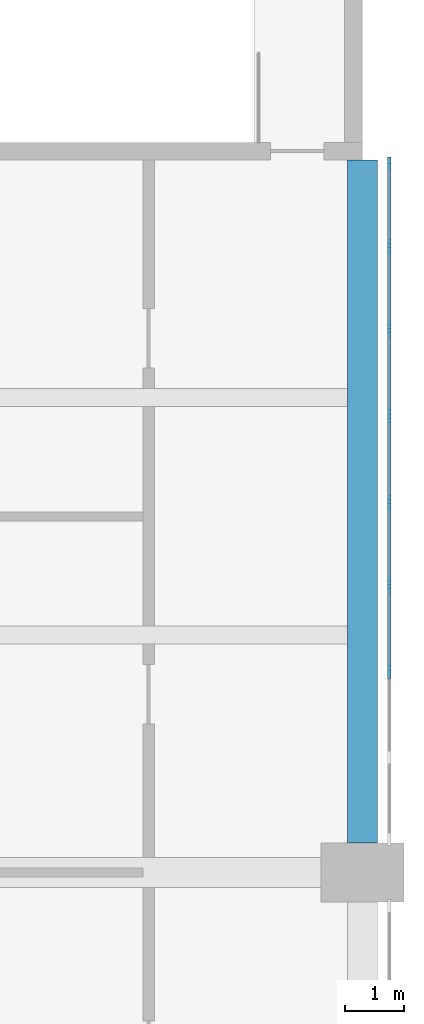
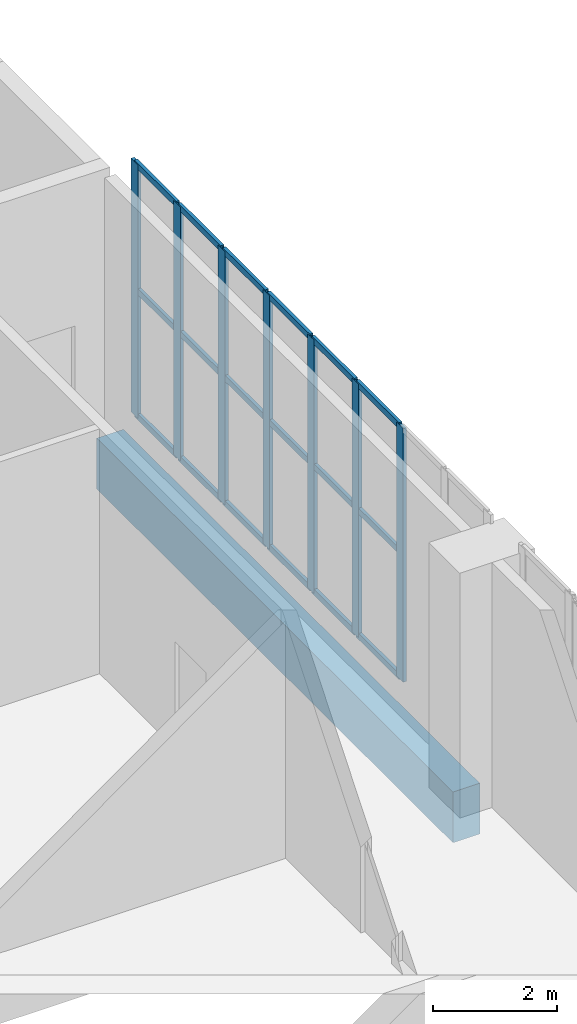
# One storey, part 29 of 69: 25 members, 1 beam, 1 element without a shape of its own.
"""IFC4 building model written with IfcOpenShell, lengths in metres."""

import ifcopenshell
import ifcopenshell.guid

model = None  # the IFC model being written
_history = None  # IfcOwnerHistory: only IFC2X3 demands one
_inside = {}  # id of a spatial element -> (the spatial element, [elements in it])
_under = {}  # id of a project, library or spatial element -> (it, [spatial elements below it])
_declared = {}  # id of a project -> (the project, [libraries it declares])
_typed = {}  # id of a type object -> (the type object, [elements of that type])
_made_of = {}  # id of a material, layer set ... -> (it, [elements and type objects made of it])


def new_model(schema):
    """Start an empty IFC model of exactly this schema.

    Asked for "IFC4X3", IfcOpenShell would pick the latest addendum, in which some entities
    have other attributes; the version numbers below select the first issue.
    IFC2X3 requires an IfcOwnerHistory on every rooted entity: one is made here for all.
    """
    global model, _history
    if schema == "IFC4X3":
        model = ifcopenshell.file(schema_version=(4, 3, 0, 0))
    else:
        model = ifcopenshell.file(schema=schema)
    _inside.clear()
    _under.clear()
    _declared.clear()
    _typed.clear()
    _made_of.clear()
    _history = None
    if model.schema == "IFC2X3":
        org = make("IfcOrganization", Name="unknown")
        user = make(
            "IfcPersonAndOrganization",
            ThePerson=make("IfcPerson", FamilyName="unknown"),
            TheOrganization=org,
        )
        app = make(
            "IfcApplication",
            ApplicationDeveloper=org,
            Version="unknown",
            ApplicationFullName="unknown",
            ApplicationIdentifier="unknown",
        )
        _history = make(
            "IfcOwnerHistory",
            OwningUser=user,
            OwningApplication=app,
            ChangeAction="ADDED",
            CreationDate=0,
        )
    return model


def make(cls, **values):
    """One entity of the class cls with the attributes given. An attribute that is None is left unset."""
    return model.create_entity(
        cls, **{name: value for name, value in values.items() if value is not None}
    )


def rooted(cls, **values):
    """An entity with a GlobalId (a new one), such as an element, a storey or a relation."""
    return make(cls, GlobalId=ifcopenshell.guid.new(), OwnerHistory=_history, **values)


def si_unit(unit_type, name, prefix=None):
    """IfcSIUnit, for example si_unit("LENGTHUNIT", "METRE", prefix="MILLI")."""
    return make("IfcSIUnit", UnitType=unit_type, Prefix=prefix, Name=name)


def assignment(units):
    """IfcUnitAssignment: the units of a project."""
    return None if units is None else make("IfcUnitAssignment", Units=units)


def point(xyz):
    """IfcCartesianPoint."""
    return None if xyz is None else make("IfcCartesianPoint", Coordinates=xyz)


def direction(xyz):
    """IfcDirection."""
    return None if xyz is None else make("IfcDirection", DirectionRatios=xyz)


def frame(location, z_axis=None, x_axis=None):
    """IfcAxis2Placement3D, a coordinate frame: its origin and axes. An axis left out is left unset."""
    return make(
        "IfcAxis2Placement3D",
        Location=point(location),
        Axis=direction(z_axis),
        RefDirection=direction(x_axis),
    )


def frame_2d(location, x_axis=None):
    """IfcAxis2Placement2D, a coordinate frame in the plane: its origin and x axis."""
    return make(
        "IfcAxis2Placement2D", Location=point(location), RefDirection=direction(x_axis)
    )


def origin():
    """The frame at (0, 0, 0) with its axes left unset."""
    return frame((0.0, 0.0, 0.0))


def origin_2d():
    """The frame at (0, 0) in the plane with its x axis left unset."""
    return frame_2d((0.0, 0.0))


def place(relative_to, where):
    """IfcLocalPlacement: puts the frame where relative to a parent placement (None: the world)."""
    return make(
        "IfcLocalPlacement", PlacementRelTo=relative_to, RelativePlacement=where
    )


def context(
    kind, dimensions, precision=None, world=None, true_north=None, identifier=None
):
    """IfcGeometricRepresentationContext, for example the 3D "Model" context."""
    return make(
        "IfcGeometricRepresentationContext",
        ContextIdentifier=identifier,
        ContextType=kind,
        CoordinateSpaceDimension=dimensions,
        Precision=precision,
        WorldCoordinateSystem=world,
        TrueNorth=true_north,
    )


def subcontext(parent, identifier, kind, view, scale=None):
    """IfcGeometricRepresentationSubContext, for example "Body" below "Model"."""
    return make(
        "IfcGeometricRepresentationSubContext",
        ContextIdentifier=identifier,
        ContextType=kind,
        ParentContext=parent,
        TargetScale=scale,
        TargetView=view,
    )


def project(units=None, contexts=None):
    """IfcProject with its units and contexts."""
    return rooted(
        "IfcProject",
        Name="project",
        RepresentationContexts=contexts,
        UnitsInContext=assignment(units),
    )


def spatial(cls, under=None, at=None, **own):
    """A site, building, storey or space (cls), placed at a placement, below another one or the project."""
    s = rooted(cls, ObjectPlacement=at, **own)
    if under is not None:
        _under.setdefault(under.id(), (under, []))[1].append(s)
    return s


def profile(cls, at=None, kind="AREA", **sizes):
    """A parametric profile (cls). Its sizes go by their IFC names, for example OverallWidth=200.0."""
    return make(cls, ProfileType=kind, Position=at, **sizes)


def rectangle(**sizes):
    """IfcRectangleProfileDef."""
    return profile("IfcRectangleProfileDef", **sizes)


def extrude(swept, where, along, depth):
    """IfcExtrudedAreaSolid: the profile swept, set in the frame where, extruded along a direction by depth."""
    return make(
        "IfcExtrudedAreaSolid",
        SweptArea=swept,
        Position=where,
        ExtrudedDirection=direction(along),
        Depth=depth,
    )


def shape(context_of_items, identifier, shape_type, items):
    """IfcShapeRepresentation: the items that make up one representation, for example the "Body"."""
    return make(
        "IfcShapeRepresentation",
        ContextOfItems=context_of_items,
        RepresentationIdentifier=identifier,
        RepresentationType=shape_type,
        Items=items,
    )


def material(Name=None, Category=None):
    """IfcMaterial."""
    return make("IfcMaterial", Name=Name, Category=Category)


def layer(
    of_material, thickness, ventilated=None, Name=None, Category=None, Priority=None
):
    """IfcMaterialLayer: one layer of a wall or slab, of a material (None: an air gap)."""
    return make(
        "IfcMaterialLayer",
        Material=of_material,
        LayerThickness=thickness,
        IsVentilated=ventilated,
        Name=Name,
        Category=Category,
        Priority=Priority,
    )


def layer_set(layers, Name=None):
    """IfcMaterialLayerSet."""
    return make("IfcMaterialLayerSet", MaterialLayers=layers, LayerSetName=Name)


def material_profile(
    of_material, cross_section, Name=None, Category=None, Priority=None
):
    """IfcMaterialProfile: a cross section and its material."""
    return make(
        "IfcMaterialProfile",
        Name=Name,
        Material=of_material,
        Profile=cross_section,
        Priority=Priority,
        Category=Category,
    )


def profile_set(profiles, Name=None, composite=None):
    """IfcMaterialProfileSet."""
    return make(
        "IfcMaterialProfileSet",
        Name=Name,
        MaterialProfiles=profiles,
        CompositeProfile=composite,
    )


def made_of(thing, what):
    """Note that an element or type object is made of a material, layer set ...; save() writes the relation."""
    if what is not None:
        _made_of.setdefault(what.id(), (what, []))[1].append(thing)
    return thing


def type_object(cls, material=None, **own):
    """A type object (cls), such as IfcWallType, which elements share."""
    return made_of(rooted(cls, **own), material)


def element(
    cls,
    number,
    at=None,
    inside=None,
    cuts=None,
    type_object=None,
    material=None,
    context=None,
    identifier="Body",
    shape_type=None,
    held_by="IfcProductDefinitionShape",
    body=None,
    shapes=None,
    **own,
):
    """One element of the class cls, such as IfcWall. Its Tag is "e" and its number.

    at: its placement. inside: the storey or other place that contains it. cuts: it is an
    opening in that element (IfcRelVoidsElement). A single representation is given by context,
    identifier, shape_type and body (its items); several are given by shapes. held_by: the class
    of the entity that holds the representations. save() writes the other relations.
    """
    e = rooted(cls, Tag="e%d" % number, ObjectPlacement=at, **own)
    if body is not None:
        shapes = [shape(context, identifier, shape_type, body)]
    if shapes is not None:
        e.Representation = make(held_by, Representations=shapes)
    if inside is not None:
        _inside.setdefault(inside.id(), (inside, []))[1].append(e)
    if cuts is not None:
        rooted(
            "IfcRelVoidsElement", RelatingBuildingElement=cuts, RelatedOpeningElement=e
        )
    if type_object is not None:
        _typed.setdefault(type_object.id(), (type_object, []))[1].append(e)
    return made_of(e, material)


def aggregate(whole, parts):
    """IfcRelAggregates: a whole, such as a stair, and the parts it consists of."""
    return rooted("IfcRelAggregates", RelatingObject=whole, RelatedObjects=parts)


def save(model, path):
    """Write the relations noted so far, then the file.

    IfcRelAggregates (storeys below a building ...), IfcRelContainedInSpatialStructure (elements
    in a storey), IfcRelDefinesByType, IfcRelAssociatesMaterial and IfcRelDeclares: one each for
    every whole, place, type object, material and project.
    """
    for whole, parts in _under.values():
        aggregate(whole, parts)
    for where, things in _inside.values():
        rooted(
            "IfcRelContainedInSpatialStructure",
            RelatedElements=things,
            RelatingStructure=where,
        )
    for kind, things in _typed.values():
        rooted("IfcRelDefinesByType", RelatedObjects=things, RelatingType=kind)
    for what, things in _made_of.values():
        rooted("IfcRelAssociatesMaterial", RelatedObjects=things, RelatingMaterial=what)
    for by, libraries in _declared.values():
        rooted("IfcRelDeclares", RelatingContext=by, RelatedDefinitions=libraries)
    model.write(path)


model = new_model("IFC4")

# Units and contexts
model_context = context("Model", 3, precision=1e-05, world=origin(), true_north=direction((0.0, 1.0)))
body_context = subcontext(model_context, "Body", "Model", "MODEL_VIEW")
ifc_project = project(units=[si_unit("LENGTHUNIT", "METRE"), si_unit("AREAUNIT", "SQUARE_METRE"), si_unit("VOLUMEUNIT", "CUBIC_METRE"), si_unit("PLANEANGLEUNIT", "RADIAN"), si_unit("MASSUNIT", "GRAM", prefix="KILO")], contexts=[model_context])

# Site, building, storey
site_placement = place(None, origin())
site = spatial("IfcSite", under=ifc_project, at=site_placement, CompositionType="ELEMENT")
building_placement = place(site_placement, origin())
building = spatial("IfcBuilding", under=site, at=building_placement, Name="Lilac Gate Convention Centre", CompositionType="ELEMENT")
storey_placement = place(building_placement, frame((0.0, 0.0, 12.0)))
storey = spatial("IfcBuildingStorey", under=building, at=storey_placement, Name="L02", CompositionType="ELEMENT", Elevation=12.0)

# Curtain wall, members
ifc_material_1 = material(Name="Aluminium framed double glazing", Category="aluminium")
ifc_layer = layer(ifc_material_1, 0.199951171875)
ifc_layer_set = layer_set([ifc_layer], Name="Aluminium framed double glazing")
curtain_wall_type = type_object("IfcCurtainWallType", Name="Unitised curtain wall 1500", PredefinedType="NOTDEFINED", material=ifc_layer_set)
curtain_wall_placement = place(storey_placement, origin())
curtain_wall = element("IfcCurtainWall", 1, at=curtain_wall_placement, inside=storey, type_object=curtain_wall_type, Name="Curtain wall HE L02 9", PredefinedType="NOTDEFINED")
ifc_material_2 = material(Name="Aluminium alloy 6063", Category="aluminium")
ifc_material_profile_1 = material_profile(ifc_material_2, rectangle(XDim=0.06005859375, YDim=0.219970703125, at=origin_2d()), Name="Curtain wall mullion 60 x 220")
ifc_profile_set_1 = profile_set([ifc_material_profile_1], Name="Aluminium alloy 6063")
member_type_1 = type_object("IfcMemberType", Name="Curtain wall mullion 60 x 220", PredefinedType="MULLION", material=ifc_profile_set_1)
member_1_placement = place(storey_placement, frame((90.449951171875, 141.375, 0.0), z_axis=(0.0, 0.0, 1.0), x_axis=(-1.0, 0.0, 0.0)))
member_1 = element("IfcMember", 2, at=member_1_placement, type_object=member_type_1, Name="CW mullion 3", PredefinedType="MULLION", context=body_context, shape_type="SweptSolid", body=[
    extrude(rectangle(XDim=0.06005859375, YDim=0.219970703125, at=origin_2d()), origin(), (0.0, 0.0, 1.0), 5.0),
])
member_2_placement = place(storey_placement, frame((90.449951171875, 142.8125, 0.0), z_axis=(0.0, 0.0, 1.0), x_axis=(-1.0, 0.0, 0.0)))
member_2 = element("IfcMember", 3, at=member_2_placement, type_object=member_type_1, Name="CW mullion 4", PredefinedType="MULLION", context=body_context, shape_type="SweptSolid", body=[
    extrude(rectangle(XDim=0.06005859375, YDim=0.219970703125, at=origin_2d()), origin(), (0.0, 0.0, 1.0), 5.0),
])
member_3_placement = place(storey_placement, frame((90.449951171875, 144.25, 0.0), z_axis=(0.0, 0.0, 1.0), x_axis=(-1.0, 0.0, 0.0)))
member_3 = element("IfcMember", 4, at=member_3_placement, type_object=member_type_1, Name="CW mullion 5", PredefinedType="MULLION", context=body_context, shape_type="SweptSolid", body=[
    extrude(rectangle(XDim=0.06005859375, YDim=0.219970703125, at=origin_2d()), origin(), (0.0, 0.0, 1.0), 5.0),
])
member_4_placement = place(storey_placement, frame((90.449951171875, 145.6875, 0.0), z_axis=(0.0, 0.0, 1.0), x_axis=(-1.0, 0.0, 0.0)))
member_4 = element("IfcMember", 5, at=member_4_placement, type_object=member_type_1, Name="CW mullion 6", PredefinedType="MULLION", context=body_context, shape_type="SweptSolid", body=[
    extrude(rectangle(XDim=0.06005859375, YDim=0.219970703125, at=origin_2d()), origin(), (0.0, 0.0, 1.0), 5.0),
])
member_5_placement = place(storey_placement, frame((90.449951171875, 147.125, 0.0), z_axis=(0.0, 0.0, 1.0), x_axis=(-1.0, 0.0, 0.0)))
member_5 = element("IfcMember", 6, at=member_5_placement, type_object=member_type_1, Name="CW mullion 7", PredefinedType="MULLION", context=body_context, shape_type="SweptSolid", body=[
    extrude(rectangle(XDim=0.06005859375, YDim=0.219970703125, at=origin_2d()), origin(), (0.0, 0.0, 1.0), 5.0),
])
member_6_placement = place(storey_placement, frame((90.449951171875, 148.5625, 0.0), z_axis=(0.0, 0.0, 1.0), x_axis=(-1.0, 0.0, 0.0)))
member_6 = element("IfcMember", 7, at=member_6_placement, type_object=member_type_1, Name="CW mullion 8", PredefinedType="MULLION", context=body_context, shape_type="SweptSolid", body=[
    extrude(rectangle(XDim=0.06005859375, YDim=0.219970703125, at=origin_2d()), origin(), (0.0, 0.0, 1.0), 5.0),
])
member_7_placement = place(storey_placement, frame((90.449951171875, 149.93994140625, 0.0), z_axis=(0.0, 0.0, 1.0), x_axis=(-1.0, 0.0, 0.0)))
member_7 = element("IfcMember", 8, at=member_7_placement, type_object=member_type_1, Name="CW mullion 9", PredefinedType="MULLION", context=body_context, shape_type="SweptSolid", body=[
    extrude(rectangle(XDim=0.06005859375, YDim=0.219970703125, at=origin_2d()), origin(), (0.0, 0.0, 1.0), 5.0),
])
ifc_material_profile_2 = material_profile(ifc_material_2, rectangle(XDim=0.06005859375, YDim=0.1201171875, at=origin_2d()), Name="Curtain wall transom 60 x 120")
ifc_profile_set_2 = profile_set([ifc_material_profile_2], Name="Aluminium alloy 6063")
member_type_2 = type_object("IfcMemberType", Name="Curtain wall transom 60 x 120", PredefinedType="USERDEFINED", material=ifc_profile_set_2)
member_8_placement = place(storey_placement, frame((90.449951171875, 141.405029296875, 0.030029296875), z_axis=(0.0, 1.0, 0.0), x_axis=(-1.0, 0.0, 0.0)))
member_8 = element("IfcMember", 9, at=member_8_placement, type_object=member_type_2, Name="CW transom 3.1", ObjectType="TRANSOM", PredefinedType="USERDEFINED", context=body_context, shape_type="SweptSolid", body=[
    extrude(rectangle(XDim=0.06005859375, YDim=0.1201171875, at=origin_2d()), origin(), (0.0, 0.0, 1.0), 1.37744140625),
])
member_9_placement = place(storey_placement, frame((90.449951171875, 141.405029296875, 2.5), z_axis=(0.0, 1.0, 0.0), x_axis=(-1.0, 0.0, 0.0)))
member_9 = element("IfcMember", 10, at=member_9_placement, type_object=member_type_2, Name="CW transom 3.2", ObjectType="TRANSOM", PredefinedType="USERDEFINED", context=body_context, shape_type="SweptSolid", body=[
    extrude(rectangle(XDim=0.06005859375, YDim=0.1201171875, at=origin_2d()), origin(), (0.0, 0.0, 1.0), 1.37744140625),
])
member_10_placement = place(storey_placement, frame((90.449951171875, 141.405029296875, 4.969970703125), z_axis=(0.0, 1.0, 0.0), x_axis=(-1.0, 0.0, 0.0)))
member_10 = element("IfcMember", 11, at=member_10_placement, type_object=member_type_2, Name="CW transom 3.3", ObjectType="TRANSOM", PredefinedType="USERDEFINED", context=body_context, shape_type="SweptSolid", body=[
    extrude(rectangle(XDim=0.06005859375, YDim=0.1201171875, at=origin_2d()), origin(), (0.0, 0.0, 1.0), 1.37744140625),
])
member_11_placement = place(storey_placement, frame((90.449951171875, 142.842529296875, 0.030029296875), z_axis=(0.0, 1.0, 0.0), x_axis=(-1.0, 0.0, 0.0)))
member_11 = element("IfcMember", 12, at=member_11_placement, type_object=member_type_2, Name="CW transom 4.1", ObjectType="TRANSOM", PredefinedType="USERDEFINED", context=body_context, shape_type="SweptSolid", body=[
    extrude(rectangle(XDim=0.06005859375, YDim=0.1201171875, at=origin_2d()), origin(), (0.0, 0.0, 1.0), 1.37744140625),
])
member_12_placement = place(storey_placement, frame((90.449951171875, 142.842529296875, 2.5), z_axis=(0.0, 1.0, 0.0), x_axis=(-1.0, 0.0, 0.0)))
member_12 = element("IfcMember", 13, at=member_12_placement, type_object=member_type_2, Name="CW transom 4.2", ObjectType="TRANSOM", PredefinedType="USERDEFINED", context=body_context, shape_type="SweptSolid", body=[
    extrude(rectangle(XDim=0.06005859375, YDim=0.1201171875, at=origin_2d()), origin(), (0.0, 0.0, 1.0), 1.37744140625),
])
member_13_placement = place(storey_placement, frame((90.449951171875, 142.842529296875, 4.969970703125), z_axis=(0.0, 1.0, 0.0), x_axis=(-1.0, 0.0, 0.0)))
member_13 = element("IfcMember", 14, at=member_13_placement, type_object=member_type_2, Name="CW transom 4.3", ObjectType="TRANSOM", PredefinedType="USERDEFINED", context=body_context, shape_type="SweptSolid", body=[
    extrude(rectangle(XDim=0.06005859375, YDim=0.1201171875, at=origin_2d()), origin(), (0.0, 0.0, 1.0), 1.37744140625),
])
member_14_placement = place(storey_placement, frame((90.449951171875, 144.280029296875, 0.030029296875), z_axis=(0.0, 1.0, 0.0), x_axis=(-1.0, 0.0, 0.0)))
member_14 = element("IfcMember", 15, at=member_14_placement, type_object=member_type_2, Name="CW transom 5.1", ObjectType="TRANSOM", PredefinedType="USERDEFINED", context=body_context, shape_type="SweptSolid", body=[
    extrude(rectangle(XDim=0.06005859375, YDim=0.1201171875, at=origin_2d()), origin(), (0.0, 0.0, 1.0), 1.37744140625),
])
member_15_placement = place(storey_placement, frame((90.449951171875, 144.280029296875, 2.5), z_axis=(0.0, 1.0, 0.0), x_axis=(-1.0, 0.0, 0.0)))
member_15 = element("IfcMember", 16, at=member_15_placement, type_object=member_type_2, Name="CW transom 5.2", ObjectType="TRANSOM", PredefinedType="USERDEFINED", context=body_context, shape_type="SweptSolid", body=[
    extrude(rectangle(XDim=0.06005859375, YDim=0.1201171875, at=origin_2d()), origin(), (0.0, 0.0, 1.0), 1.37744140625),
])
member_16_placement = place(storey_placement, frame((90.449951171875, 144.280029296875, 4.969970703125), z_axis=(0.0, 1.0, 0.0), x_axis=(-1.0, 0.0, 0.0)))
member_16 = element("IfcMember", 17, at=member_16_placement, type_object=member_type_2, Name="CW transom 5.3", ObjectType="TRANSOM", PredefinedType="USERDEFINED", context=body_context, shape_type="SweptSolid", body=[
    extrude(rectangle(XDim=0.06005859375, YDim=0.1201171875, at=origin_2d()), origin(), (0.0, 0.0, 1.0), 1.37744140625),
])
member_17_placement = place(storey_placement, frame((90.449951171875, 145.717529296875, 0.030029296875), z_axis=(0.0, 1.0, 0.0), x_axis=(-1.0, 0.0, 0.0)))
member_17 = element("IfcMember", 18, at=member_17_placement, type_object=member_type_2, Name="CW transom 6.1", ObjectType="TRANSOM", PredefinedType="USERDEFINED", context=body_context, shape_type="SweptSolid", body=[
    extrude(rectangle(XDim=0.06005859375, YDim=0.1201171875, at=origin_2d()), origin(), (0.0, 0.0, 1.0), 1.37744140625),
])
member_18_placement = place(storey_placement, frame((90.449951171875, 145.717529296875, 2.5), z_axis=(0.0, 1.0, 0.0), x_axis=(-1.0, 0.0, 0.0)))
member_18 = element("IfcMember", 19, at=member_18_placement, type_object=member_type_2, Name="CW transom 6.2", ObjectType="TRANSOM", PredefinedType="USERDEFINED", context=body_context, shape_type="SweptSolid", body=[
    extrude(rectangle(XDim=0.06005859375, YDim=0.1201171875, at=origin_2d()), origin(), (0.0, 0.0, 1.0), 1.37744140625),
])
member_19_placement = place(storey_placement, frame((90.449951171875, 145.717529296875, 4.969970703125), z_axis=(0.0, 1.0, 0.0), x_axis=(-1.0, 0.0, 0.0)))
member_19 = element("IfcMember", 20, at=member_19_placement, type_object=member_type_2, Name="CW transom 6.3", ObjectType="TRANSOM", PredefinedType="USERDEFINED", context=body_context, shape_type="SweptSolid", body=[
    extrude(rectangle(XDim=0.06005859375, YDim=0.1201171875, at=origin_2d()), origin(), (0.0, 0.0, 1.0), 1.37744140625),
])
member_20_placement = place(storey_placement, frame((90.449951171875, 147.155029296875, 0.030029296875), z_axis=(0.0, 1.0, 0.0), x_axis=(-1.0, 0.0, 0.0)))
member_20 = element("IfcMember", 21, at=member_20_placement, type_object=member_type_2, Name="CW transom 7.1", ObjectType="TRANSOM", PredefinedType="USERDEFINED", context=body_context, shape_type="SweptSolid", body=[
    extrude(rectangle(XDim=0.06005859375, YDim=0.1201171875, at=origin_2d()), origin(), (0.0, 0.0, 1.0), 1.37744140625),
])
member_21_placement = place(storey_placement, frame((90.449951171875, 147.155029296875, 2.5), z_axis=(0.0, 1.0, 0.0), x_axis=(-1.0, 0.0, 0.0)))
member_21 = element("IfcMember", 22, at=member_21_placement, type_object=member_type_2, Name="CW transom 7.2", ObjectType="TRANSOM", PredefinedType="USERDEFINED", context=body_context, shape_type="SweptSolid", body=[
    extrude(rectangle(XDim=0.06005859375, YDim=0.1201171875, at=origin_2d()), origin(), (0.0, 0.0, 1.0), 1.37744140625),
])
member_22_placement = place(storey_placement, frame((90.449951171875, 147.155029296875, 4.969970703125), z_axis=(0.0, 1.0, 0.0), x_axis=(-1.0, 0.0, 0.0)))
member_22 = element("IfcMember", 23, at=member_22_placement, type_object=member_type_2, Name="CW transom 7.3", ObjectType="TRANSOM", PredefinedType="USERDEFINED", context=body_context, shape_type="SweptSolid", body=[
    extrude(rectangle(XDim=0.06005859375, YDim=0.1201171875, at=origin_2d()), origin(), (0.0, 0.0, 1.0), 1.37744140625),
])
member_23_placement = place(storey_placement, frame((90.449951171875, 148.592529296875, 0.030029296875), z_axis=(0.0, 1.0, 0.0), x_axis=(-1.0, 0.0, 0.0)))
member_23 = element("IfcMember", 24, at=member_23_placement, type_object=member_type_2, Name="CW transom 8.1", ObjectType="TRANSOM", PredefinedType="USERDEFINED", context=body_context, shape_type="SweptSolid", body=[
    extrude(rectangle(XDim=0.06005859375, YDim=0.1201171875, at=origin_2d()), origin(), (0.0, 0.0, 1.0), 1.347412109375),
])
member_24_placement = place(storey_placement, frame((90.449951171875, 148.592529296875, 2.5), z_axis=(0.0, 1.0, 0.0), x_axis=(-1.0, 0.0, 0.0)))
member_24 = element("IfcMember", 25, at=member_24_placement, type_object=member_type_2, Name="CW transom 8.2", ObjectType="TRANSOM", PredefinedType="USERDEFINED", context=body_context, shape_type="SweptSolid", body=[
    extrude(rectangle(XDim=0.06005859375, YDim=0.1201171875, at=origin_2d()), origin(), (0.0, 0.0, 1.0), 1.347412109375),
])
member_25_placement = place(storey_placement, frame((90.449951171875, 148.592529296875, 4.969970703125), z_axis=(0.0, 1.0, 0.0), x_axis=(-1.0, 0.0, 0.0)))
member_25 = element("IfcMember", 26, at=member_25_placement, type_object=member_type_2, Name="CW transom 8.3", ObjectType="TRANSOM", PredefinedType="USERDEFINED", context=body_context, shape_type="SweptSolid", body=[
    extrude(rectangle(XDim=0.06005859375, YDim=0.1201171875, at=origin_2d()), origin(), (0.0, 0.0, 1.0), 1.347412109375),
])
aggregate(curtain_wall, [member_1, member_2, member_3, member_4, member_5, member_6, member_7, member_8, member_9, member_10, member_11, member_12, member_13, member_14, member_15, member_16, member_17, member_18, member_19, member_20, member_21, member_22, member_23, member_24, member_25])

# Beam
ifc_material_3 = material(Name="Concrete C40", Category="concrete")
ifc_material_profile_3 = material_profile(ifc_material_3, rectangle(XDim=0.5, YDim=1.0, at=origin_2d()), Name="RC 500x1000")
ifc_profile_set_3 = profile_set([ifc_material_profile_3], Name="Concrete C40")
beam_type = type_object("IfcBeamType", Name="Primary beam 500x1000 C40", PredefinedType="BEAM", material=ifc_profile_set_3)
beam_placement = place(storey_placement, frame((90.0, 138.5, -0.75), z_axis=(0.0, 1.0, 0.0), x_axis=(-1.0, 0.0, 0.0)))
element("IfcBeam", 27, at=beam_placement, inside=storey, type_object=beam_type, Name="RB1 L02 8/K-8/L", PredefinedType="BEAM", context=body_context, shape_type="SweptSolid", body=[
    extrude(rectangle(XDim=0.5, YDim=1.0, at=origin_2d()), origin(), (0.0, 0.0, 1.0), 11.5),
])

save(model, "model.ifc")
